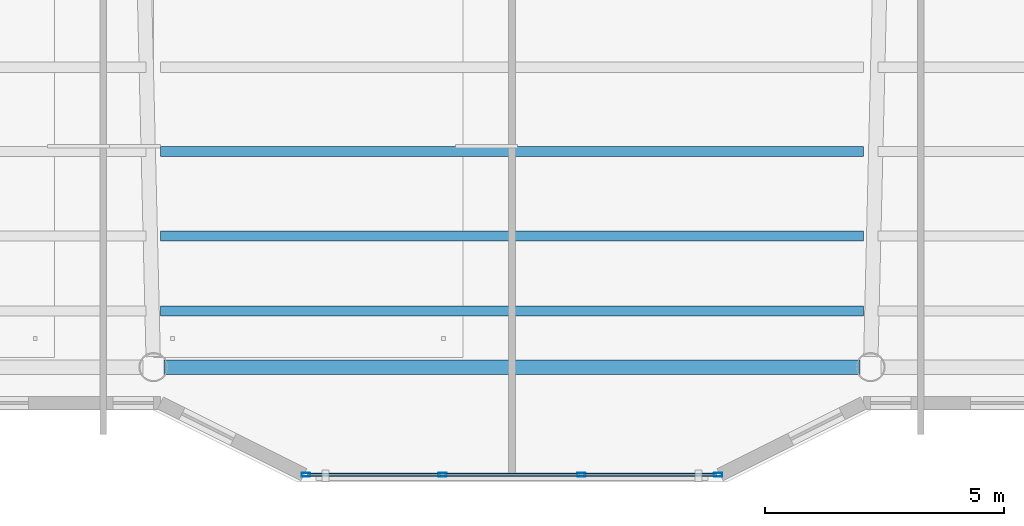
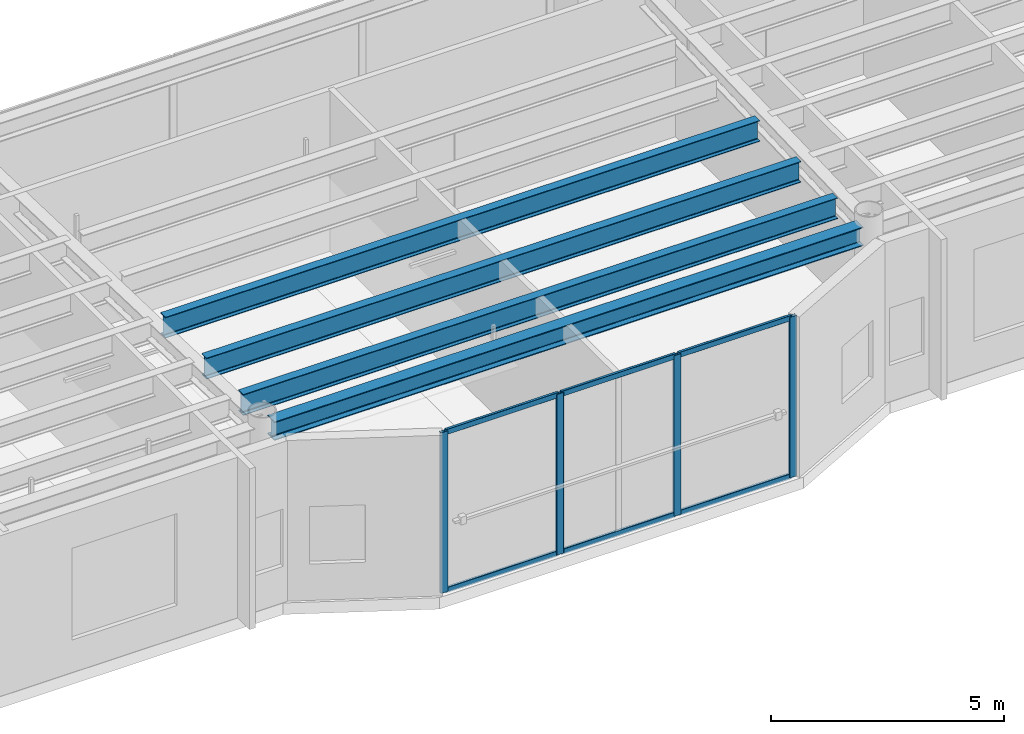
# One storey, part 5 of 33: 10 members, 4 beams, 1 element without a shape of its own.
"""IFC4 building model written with IfcOpenShell, lengths in metres."""

from ifc_helpers import new_model, si_unit, direction, frame, origin, origin_2d, place, context, subcontext, project, spatial, hollow_rectangle, i_section, extrude, material, layer, layer_set, material_profile, profile_set, type_object, element, aggregate, save


model = new_model("IFC4")

# Units and contexts
model_context = context("Model", 3, precision=1e-05, world=origin(), true_north=direction((0.0, 1.0)))
body_context = subcontext(model_context, "Body", "Model", "MODEL_VIEW")
ifc_project = project(units=[si_unit("LENGTHUNIT", "METRE"), si_unit("AREAUNIT", "SQUARE_METRE"), si_unit("VOLUMEUNIT", "CUBIC_METRE"), si_unit("PLANEANGLEUNIT", "RADIAN"), si_unit("MASSUNIT", "GRAM", prefix="KILO")], contexts=[model_context])

# Site, building, storey
site_placement = place(None, origin())
site = spatial("IfcSite", under=ifc_project, at=site_placement, CompositionType="ELEMENT")
building_placement = place(site_placement, origin())
building = spatial("IfcBuilding", under=site, at=building_placement, Name="Tarnavaz Court Tower", CompositionType="ELEMENT")
storey_placement = place(building_placement, frame((0.0, 0.0, 177.300048828125)))
storey = spatial("IfcBuildingStorey", under=building, at=storey_placement, Name="L48", CompositionType="ELEMENT", Elevation=177.300048828125)

# Beams
ifc_material_1 = material(Name="Steel S355", Category="steel")
ifc_material_profile_1 = material_profile(ifc_material_1, i_section(OverallWidth=0.2099609375, OverallDepth=0.550048828125, WebThickness=0.010986328125, FlangeThickness=0.01708984375, FilletRadius=0.02392578125, at=origin_2d()), Name="IPE 550")
ifc_profile_set_1 = profile_set([ifc_material_profile_1], Name="Steel S355")
beam_type_1 = type_object("IfcBeamType", Name="BM-J-IPE550", PredefinedType="JOIST", material=ifc_profile_set_1)
for number, where, z_axis, x_axis, name in (
    (1, (-7.35009765625, -15.89208984375, 3.925048828125), (1.0, 0.0, 0.0), (0.0, 1.0, 0.0), "L48 Beam JS3-2"),
    (2, (-7.35009765625, -17.656005859375, 3.925048828125), (1.0, 0.0, 0.0), (0.0, 1.0, 0.0), "L48 Beam JS4-2"),
    (3, (-7.35009765625, -19.22412109375, 3.925048828125), (1.0, 0.0, 0.0), (0.0, 1.0, 0.0), "L48 Beam JS5-2"),
):
    element("IfcBeam", number, at=place(storey_placement, frame(where, z_axis=z_axis, x_axis=x_axis)), inside=storey, type_object=beam_type_1, Name=name, PredefinedType="JOIST", context=body_context, shape_type="SweptSolid", body=[
        extrude(i_section(OverallWidth=0.2099609375, OverallDepth=0.550048828125, WebThickness=0.010986328125, FlangeThickness=0.01708984375, FilletRadius=0.02392578125, at=origin_2d()), origin(), (0.0, 0.0, 1.0), 14.7001953125),
    ])
ifc_material_profile_2 = material_profile(ifc_material_1, i_section(OverallWidth=0.300048828125, OverallDepth=0.489990234375, WebThickness=0.011962890625, FlangeThickness=0.02294921875, FilletRadius=0.027099609375, at=origin_2d()), Name="HEA 500")
ifc_profile_set_2 = profile_set([ifc_material_profile_2], Name="Steel S355")
beam_type_2 = type_object("IfcBeamType", Name="BM-SP-HEA500", PredefinedType="SPANDREL", material=ifc_profile_set_2)
beam_placement = place(storey_placement, frame((-7.280029296875, -20.39990234375, 3.954833984375), z_axis=(1.0, 0.0, 0.0), x_axis=(0.0, 1.0, 0.0)))
element("IfcBeam", 4, at=beam_placement, inside=storey, type_object=beam_type_2, Name="L48 Beam PR-PS-2-PS-3", PredefinedType="SPANDREL", context=body_context, shape_type="SweptSolid", body=[
    extrude(i_section(OverallWidth=0.300048828125, OverallDepth=0.489990234375, WebThickness=0.011962890625, FlangeThickness=0.02294921875, FilletRadius=0.027099609375, at=origin_2d()), origin(), (0.0, 0.0, 1.0), 14.56005859375),
])

# Curtain wall, members
ifc_material_2 = material(Name="Anodised Aluminium 6063-T6 and Solar Low-E Glazing", Category="aluminium")
ifc_layer = layer(ifc_material_2, 0.159912109375)
ifc_layer_set = layer_set([ifc_layer], Name="Anodised Aluminium 6063-T6 and Solar Low-E Glazing")
curtain_wall_type = type_object("IfcCurtainWallType", Name="CW-SYS-03", PredefinedType="NOTDEFINED", material=ifc_layer_set)
curtain_wall_placement = place(storey_placement, origin())
curtain_wall = element("IfcCurtainWall", 5, at=curtain_wall_placement, inside=storey, type_object=curtain_wall_type, Name="L48 Iwan Prow Curtain Wall 17", PredefinedType="NOTDEFINED")
ifc_material_3 = material(Name="Anodised Aluminium 6063-T6", Category="aluminium")
ifc_material_profile_3 = material_profile(ifc_material_3, hollow_rectangle(XDim=0.074951171875, YDim=0.179931640625, WallThickness=0.0048828125, InnerFilletRadius=0.0048828125, OuterFilletRadius=0.010009765625, at=origin_2d()), Name="ALU RHS 180X75X5")
ifc_profile_set_3 = profile_set([ifc_material_profile_3], Name="Anodised Aluminium 6063-T6")
member_type_1 = type_object("IfcMemberType", Name="CW-MUL-180", PredefinedType="MULLION", material=ifc_profile_set_3)
member_1_placement = place(storey_placement, frame((4.3125, -22.64990234375, 0.0), z_axis=(0.0, 0.0, 1.0), x_axis=(0.0, -1.0, 0.0)))
member_1 = element("IfcMember", 6, at=member_1_placement, type_object=member_type_1, Name="CW mullion 1", PredefinedType="MULLION", context=body_context, shape_type="SweptSolid", body=[
    extrude(hollow_rectangle(XDim=0.074951171875, YDim=0.179931640625, WallThickness=0.0048828125, InnerFilletRadius=0.0048828125, OuterFilletRadius=0.010009765625, at=origin_2d()), origin(), (0.0, 0.0, 1.0), 4.199951171875),
])
member_2_placement = place(storey_placement, frame((1.449951171875, -22.64990234375, 0.0), z_axis=(0.0, 0.0, 1.0), x_axis=(0.0, -1.0, 0.0)))
member_2 = element("IfcMember", 7, at=member_2_placement, type_object=member_type_1, Name="CW mullion 2", PredefinedType="MULLION", context=body_context, shape_type="SweptSolid", body=[
    extrude(hollow_rectangle(XDim=0.074951171875, YDim=0.179931640625, WallThickness=0.0048828125, InnerFilletRadius=0.0048828125, OuterFilletRadius=0.010009765625, at=origin_2d()), origin(), (0.0, 0.0, 1.0), 4.199951171875),
])
member_3_placement = place(storey_placement, frame((-1.449951171875, -22.64990234375, 0.0), z_axis=(0.0, 0.0, 1.0), x_axis=(0.0, -1.0, 0.0)))
member_3 = element("IfcMember", 8, at=member_3_placement, type_object=member_type_1, Name="CW mullion 3", PredefinedType="MULLION", context=body_context, shape_type="SweptSolid", body=[
    extrude(hollow_rectangle(XDim=0.074951171875, YDim=0.179931640625, WallThickness=0.0048828125, InnerFilletRadius=0.0048828125, OuterFilletRadius=0.010009765625, at=origin_2d()), origin(), (0.0, 0.0, 1.0), 4.199951171875),
])
member_4_placement = place(storey_placement, frame((-4.3125, -22.64990234375, 0.0), z_axis=(0.0, 0.0, 1.0), x_axis=(0.0, -1.0, 0.0)))
member_4 = element("IfcMember", 9, at=member_4_placement, type_object=member_type_1, Name="CW mullion 4", PredefinedType="MULLION", context=body_context, shape_type="SweptSolid", body=[
    extrude(hollow_rectangle(XDim=0.074951171875, YDim=0.179931640625, WallThickness=0.0048828125, InnerFilletRadius=0.0048828125, OuterFilletRadius=0.010009765625, at=origin_2d()), origin(), (0.0, 0.0, 1.0), 4.199951171875),
])
ifc_material_profile_4 = material_profile(ifc_material_3, hollow_rectangle(XDim=0.06494140625, YDim=0.139892578125, WallThickness=0.00390625, InnerFilletRadius=0.00390625, OuterFilletRadius=0.008056640625, at=origin_2d()), Name="ALU RHS 140X65X4")
ifc_profile_set_4 = profile_set([ifc_material_profile_4], Name="Anodised Aluminium 6063-T6")
member_type_2 = type_object("IfcMemberType", Name="CW-TRN-140", PredefinedType="USERDEFINED", material=ifc_profile_set_4)
member_5_placement = place(storey_placement, frame((4.27490234375, -22.64990234375, 0.032470703125), z_axis=(-1.0, 0.0, 0.0), x_axis=(0.0, -1.0, 0.0)))
member_5 = element("IfcMember", 10, at=member_5_placement, type_object=member_type_2, Name="CW transom 1.1", ObjectType="TRANSOM", PredefinedType="USERDEFINED", context=body_context, shape_type="SweptSolid", body=[
    extrude(hollow_rectangle(XDim=0.06494140625, YDim=0.139892578125, WallThickness=0.00390625, InnerFilletRadius=0.00390625, OuterFilletRadius=0.008056640625, at=origin_2d()), origin(), (0.0, 0.0, 1.0), 2.787353515625),
])
member_6_placement = place(storey_placement, frame((4.27490234375, -22.64990234375, 4.16748046875), z_axis=(-1.0, 0.0, 0.0), x_axis=(0.0, -1.0, 0.0)))
member_6 = element("IfcMember", 11, at=member_6_placement, type_object=member_type_2, Name="CW transom 1.2", ObjectType="TRANSOM", PredefinedType="USERDEFINED", context=body_context, shape_type="SweptSolid", body=[
    extrude(hollow_rectangle(XDim=0.06494140625, YDim=0.139892578125, WallThickness=0.00390625, InnerFilletRadius=0.00390625, OuterFilletRadius=0.008056640625, at=origin_2d()), origin(), (0.0, 0.0, 1.0), 2.787353515625),
])
member_7_placement = place(storey_placement, frame((1.41259765625, -22.64990234375, 0.032470703125), z_axis=(-1.0, 0.0, 0.0), x_axis=(0.0, -1.0, 0.0)))
member_7 = element("IfcMember", 12, at=member_7_placement, type_object=member_type_2, Name="CW transom 2.1", ObjectType="TRANSOM", PredefinedType="USERDEFINED", context=body_context, shape_type="SweptSolid", body=[
    extrude(hollow_rectangle(XDim=0.06494140625, YDim=0.139892578125, WallThickness=0.00390625, InnerFilletRadius=0.00390625, OuterFilletRadius=0.008056640625, at=origin_2d()), origin(), (0.0, 0.0, 1.0), 2.8251953125),
])
member_8_placement = place(storey_placement, frame((1.41259765625, -22.64990234375, 4.16748046875), z_axis=(-1.0, 0.0, 0.0), x_axis=(0.0, -1.0, 0.0)))
member_8 = element("IfcMember", 13, at=member_8_placement, type_object=member_type_2, Name="CW transom 2.2", ObjectType="TRANSOM", PredefinedType="USERDEFINED", context=body_context, shape_type="SweptSolid", body=[
    extrude(hollow_rectangle(XDim=0.06494140625, YDim=0.139892578125, WallThickness=0.00390625, InnerFilletRadius=0.00390625, OuterFilletRadius=0.008056640625, at=origin_2d()), origin(), (0.0, 0.0, 1.0), 2.8251953125),
])
member_9_placement = place(storey_placement, frame((-1.487548828125, -22.64990234375, 0.032470703125), z_axis=(-1.0, 0.0, 0.0), x_axis=(0.0, -1.0, 0.0)))
member_9 = element("IfcMember", 14, at=member_9_placement, type_object=member_type_2, Name="CW transom 3.1", ObjectType="TRANSOM", PredefinedType="USERDEFINED", context=body_context, shape_type="SweptSolid", body=[
    extrude(hollow_rectangle(XDim=0.06494140625, YDim=0.139892578125, WallThickness=0.00390625, InnerFilletRadius=0.00390625, OuterFilletRadius=0.008056640625, at=origin_2d()), origin(), (0.0, 0.0, 1.0), 2.787353515625),
])
member_10_placement = place(storey_placement, frame((-1.487548828125, -22.64990234375, 4.16748046875), z_axis=(-1.0, 0.0, 0.0), x_axis=(0.0, -1.0, 0.0)))
member_10 = element("IfcMember", 15, at=member_10_placement, type_object=member_type_2, Name="CW transom 3.2", ObjectType="TRANSOM", PredefinedType="USERDEFINED", context=body_context, shape_type="SweptSolid", body=[
    extrude(hollow_rectangle(XDim=0.06494140625, YDim=0.139892578125, WallThickness=0.00390625, InnerFilletRadius=0.00390625, OuterFilletRadius=0.008056640625, at=origin_2d()), origin(), (0.0, 0.0, 1.0), 2.787353515625),
])
aggregate(curtain_wall, [member_1, member_2, member_3, member_4, member_5, member_6, member_7, member_8, member_9, member_10])

save(model, "model.ifc")
